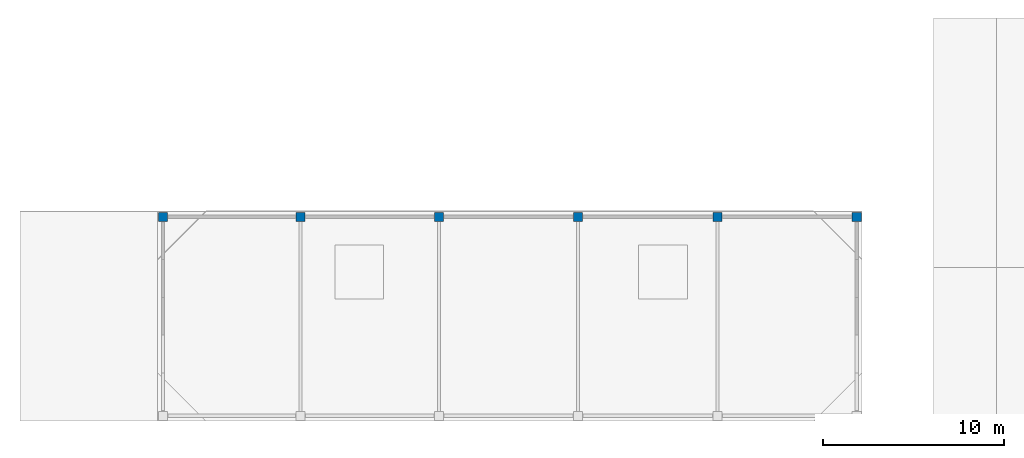
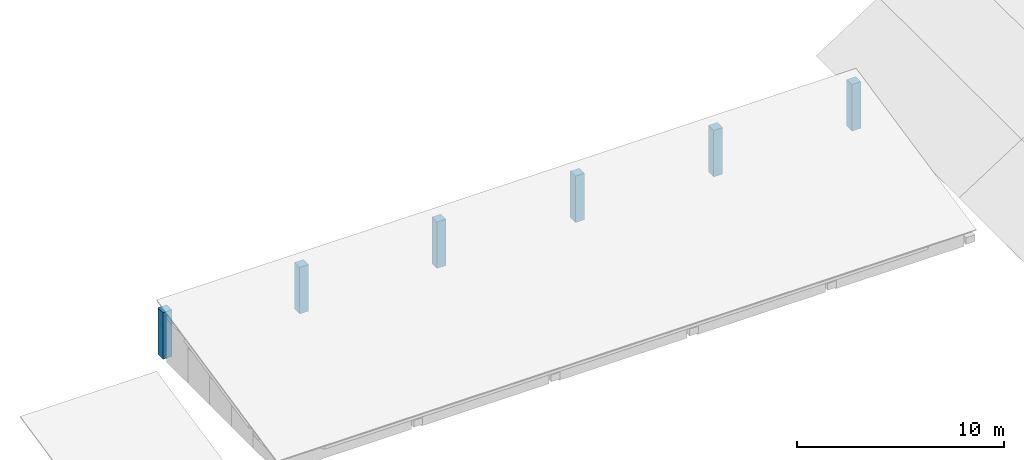
# One storey, part 1 of 19: 6 columns.
"""IFC4 building model written with IfcOpenShell, lengths in metres."""

from ifc_helpers import new_model, si_unit, direction, frame, origin, origin_2d, place, context, subcontext, project, spatial, rectangle, extrude, material, material_profile, profile_set, type_object, element, save


model = new_model("IFC4")

# Units and contexts
model_context = context("Model", 3, precision=1e-05, world=origin(), true_north=direction((0.0, 1.0)))
body_context = subcontext(model_context, "Body", "Model", "MODEL_VIEW")
ifc_project = project(units=[si_unit("LENGTHUNIT", "METRE"), si_unit("AREAUNIT", "SQUARE_METRE"), si_unit("VOLUMEUNIT", "CUBIC_METRE"), si_unit("PLANEANGLEUNIT", "RADIAN"), si_unit("MASSUNIT", "GRAM", prefix="KILO")], contexts=[model_context])

# Site, building, storey
site_placement = place(None, origin())
site = spatial("IfcSite", under=ifc_project, at=site_placement, CompositionType="ELEMENT")
building_placement = place(site_placement, origin())
building = spatial("IfcBuilding", under=site, at=building_placement, Name="Candilejo Ridge Gondola Terminal", CompositionType="ELEMENT")
storey_placement = place(building_placement, frame((0.0, 0.0, 22.800048828125)))
storey = spatial("IfcBuildingStorey", under=building, at=storey_placement, Name="L05", CompositionType="ELEMENT", Elevation=22.800048828125)

# Columns
ifc_material = material(Name="Concrete f'c 35 MPa (C35/45)", Category="concrete")
ifc_material_profile = material_profile(ifc_material, rectangle(XDim=0.5, YDim=0.5, at=origin_2d()))
ifc_profile_set = profile_set([ifc_material_profile], Name="Concrete f'c 35 MPa (C35/45)")
column_type = type_object("IfcColumnType", Name="STR-COL-RC500", PredefinedType="COLUMN", material=ifc_profile_set)
for number, where, z_axis, x_axis, name in (
    (1, (94.60009765625, 36.699951171875, 0.0), (0.0, 0.0, 1.0), (1.0, 0.0, 0.0), "Roof ridge column RF-V3-MAIN-01-N"),
    (2, (102.199951171875, 36.699951171875, 0.0), (0.0, 0.0, 1.0), (1.0, 0.0, 0.0), "Roof ridge column RF-V3-MAIN-02-N"),
    (3, (109.85009765625, 36.699951171875, 0.0), (0.0, 0.0, 1.0), (1.0, 0.0, 0.0), "Roof ridge column RF-V3-MAIN-03-N"),
    (4, (117.550048828125, 36.699951171875, 0.0), (0.0, 0.0, 1.0), (1.0, 0.0, 0.0), "Roof ridge column RF-V3-MAIN-04-N"),
    (5, (125.25, 36.699951171875, 0.0), (0.0, 0.0, 1.0), (1.0, 0.0, 0.0), "Roof ridge column RF-V3-MAIN-05-N"),
    (6, (132.949951171875, 36.699951171875, 0.0), (0.0, 0.0, 1.0), (1.0, 0.0, 0.0), "Roof ridge column RF-V3-MAIN-06-N"),
):
    element("IfcColumn", number, at=place(storey_placement, frame(where, z_axis=z_axis, x_axis=x_axis)), inside=storey, type_object=column_type, Name=name, PredefinedType="COLUMN", context=body_context, shape_type="SweptSolid", body=[
        extrude(rectangle(XDim=0.5, YDim=0.5, at=origin_2d()), origin(), (0.0, 0.0, 1.0), 2.739990234375),
    ])

save(model, "model.ifc")
